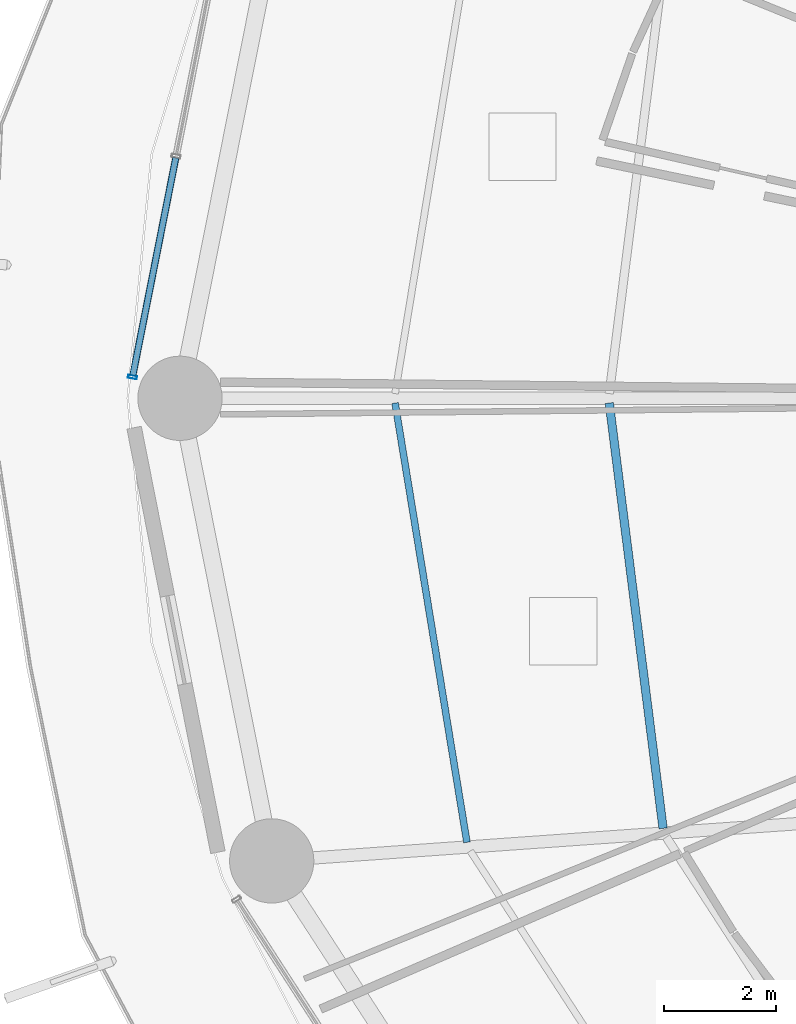
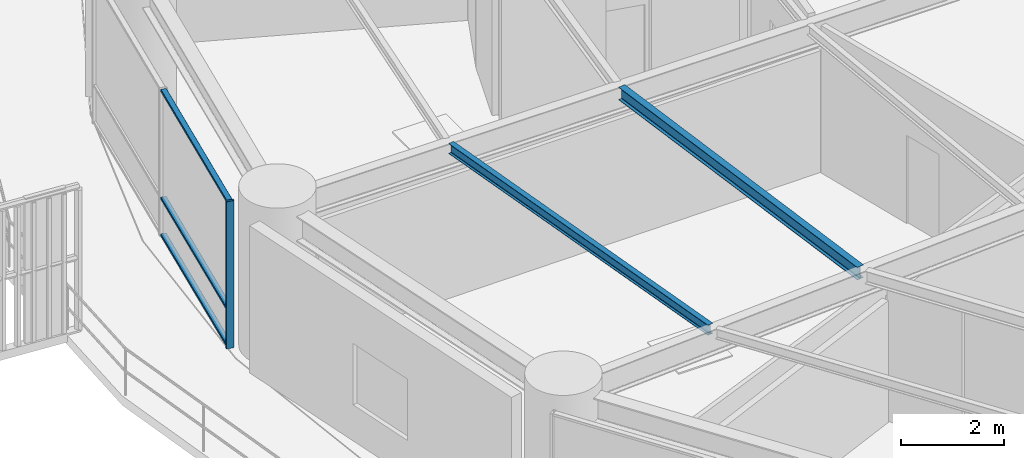
# One storey, part 6 of 34: 4 members, 2 beams, 1 element without a shape of its own.
"""IFC4 building model written with IfcOpenShell, lengths in metres."""

from ifc_helpers import new_model, si_unit, direction, frame, origin, origin_2d, place, context, subcontext, project, spatial, hollow_rectangle, i_section, extrude, material, layer, layer_set, material_profile, profile_set, type_object, element, aggregate, save


model = new_model("IFC4")

# Units and contexts
model_context = context("Model", 3, precision=1e-05, world=origin(), true_north=direction((0.0, 1.0)))
body_context = subcontext(model_context, "Body", "Model", "MODEL_VIEW")
ifc_project = project(units=[si_unit("LENGTHUNIT", "METRE"), si_unit("AREAUNIT", "SQUARE_METRE"), si_unit("VOLUMEUNIT", "CUBIC_METRE"), si_unit("PLANEANGLEUNIT", "RADIAN"), si_unit("MASSUNIT", "GRAM", prefix="KILO")], contexts=[model_context])

# Site, building, storey
site_placement = place(None, origin())
site = spatial("IfcSite", under=ifc_project, at=site_placement, CompositionType="ELEMENT")
building_placement = place(site_placement, origin())
building = spatial("IfcBuilding", under=site, at=building_placement, Name="Kelanora Arch Commons", CompositionType="ELEMENT")
storey_placement = place(building_placement, frame((0.0, 0.0, 30.0)))
storey = spatial("IfcBuildingStorey", under=building, at=storey_placement, Name="L07", CompositionType="ELEMENT", Elevation=30.0)

# Beams
ifc_material_1 = material(Name="Steel S355", Category="steel")
ifc_material_profile_1 = material_profile(ifc_material_1, i_section(OverallWidth=0.14990234375, OverallDepth=0.300048828125, WebThickness=0.007080078125, FlangeThickness=0.0107421875, FilletRadius=0.014892578125, at=origin_2d()), Name="IPE300")
ifc_profile_set_1 = profile_set([ifc_material_profile_1], Name="Steel S355")
beam_type_1 = type_object("IfcBeamType", Name="BM-JST-01", PredefinedType="JOIST", material=ifc_profile_set_1)
beam_1_placement = place(storey_placement, frame((54.562744140625, 57.915771484375, 3.340087890625), z_axis=(0.125565841651, -0.992085288375, 0.0), x_axis=(0.992085288375, 0.125565841651, 0.0)))
element("IfcBeam", 1, at=beam_1_placement, inside=storey, type_object=beam_type_1, Name="Secondary Chord Joist BJB-18 L07", PredefinedType="JOIST", context=body_context, shape_type="SweptSolid", body=[
    extrude(i_section(OverallWidth=0.14990234375, OverallDepth=0.300048828125, WebThickness=0.007080078125, FlangeThickness=0.0107421875, FilletRadius=0.014892578125, at=origin_2d()), origin(), (0.0, 0.0, 1.0), 7.63330078125),
])
ifc_material_profile_2 = material_profile(ifc_material_1, i_section(OverallWidth=0.1201171875, OverallDepth=0.239990234375, WebThickness=0.006103515625, FlangeThickness=0.009765625, FilletRadius=0.014892578125, at=origin_2d()), Name="IPE240")
ifc_profile_set_2 = profile_set([ifc_material_profile_2], Name="Steel S355")
beam_type_2 = type_object("IfcBeamType", Name="BM-JST-02", PredefinedType="JOIST", material=ifc_profile_set_2)
beam_2_placement = place(storey_placement, frame((50.749755859375, 57.916015625, 3.3701171875), z_axis=(0.161400737199, -0.986888951216, 0.0), x_axis=(0.986888951216, 0.161400737199, 0.0)))
element("IfcBeam", 2, at=beam_2_placement, inside=storey, type_object=beam_type_2, Name="Secondary Chord Joist BJC-18 L07", PredefinedType="JOIST", context=body_context, shape_type="SweptSolid", body=[
    extrude(i_section(OverallWidth=0.1201171875, OverallDepth=0.239990234375, WebThickness=0.006103515625, FlangeThickness=0.009765625, FilletRadius=0.014892578125, at=origin_2d()), origin(), (0.0, 0.0, 1.0), 7.9248046875),
])

# Curtain wall, members
ifc_material_2 = material(Name="Terracotta ceramic-fritted low-E glass and aluminium", Category="masonry")
ifc_layer = layer(ifc_material_2, 0.159912109375)
ifc_layer_set = layer_set([ifc_layer], Name="Terracotta ceramic-fritted low-E glass and aluminium")
curtain_wall_type = type_object("IfcCurtainWallType", Name="CW-SYS-01", PredefinedType="NOTDEFINED", material=ifc_layer_set)
curtain_wall_placement = place(storey_placement, origin())
curtain_wall = element("IfcCurtainWall", 3, at=curtain_wall_placement, inside=storey, type_object=curtain_wall_type, Name="Unitised Curtain Wall L07-B08", PredefinedType="NOTDEFINED")
ifc_material_3 = material(Name="Powder-coated aluminium terracotta", Category="masonry")
ifc_material_profile_3 = material_profile(ifc_material_3, hollow_rectangle(XDim=0.159912109375, YDim=0.06005859375, WallThickness=0.0048828125, InnerFilletRadius=0.0048828125, OuterFilletRadius=0.010009765625, at=origin_2d()), Name="CWM160x60")
ifc_profile_set_3 = profile_set([ifc_material_profile_3], Name="Powder-coated aluminium terracotta")
member_type_1 = type_object("IfcMemberType", Name="CWM-STD", PredefinedType="MULLION", material=ifc_profile_set_3)
member_1_placement = place(storey_placement, frame((46.074951171875, 58.379150390625, 0.0), z_axis=(0.0, 0.0, 1.0), x_axis=(0.981052110579, -0.193744048498, 0.0)))
member_1 = element("IfcMember", 4, at=member_1_placement, type_object=member_type_1, Name="CW-01 mullion 3", PredefinedType="MULLION", context=body_context, shape_type="SweptSolid", body=[
    extrude(hollow_rectangle(XDim=0.159912109375, YDim=0.06005859375, WallThickness=0.0048828125, InnerFilletRadius=0.0048828125, OuterFilletRadius=0.010009765625, at=origin_2d()), origin(), (0.0, 0.0, 1.0), 3.47509765625),
])
ifc_material_profile_4 = material_profile(ifc_material_3, hollow_rectangle(XDim=0.1201171875, YDim=0.06005859375, WallThickness=0.0048828125, InnerFilletRadius=0.0048828125, OuterFilletRadius=0.010009765625, at=origin_2d()), Name="CWT120x60")
ifc_profile_set_4 = profile_set([ifc_material_profile_4], Name="Powder-coated aluminium terracotta")
member_type_2 = type_object("IfcMemberType", Name="CWT-STD", PredefinedType="USERDEFINED", material=ifc_profile_set_4)
member_2_placement = place(storey_placement, frame((46.845703125, 62.281982421875, 0.030029296875), z_axis=(-0.193725436624, -0.98105578598, 0.0), x_axis=(0.98105578598, -0.193725436624, 0.0)))
member_2 = element("IfcMember", 5, at=member_2_placement, type_object=member_type_2, Name="CW-01 transom 2.1", ObjectType="TRANSOM", PredefinedType="USERDEFINED", context=body_context, shape_type="SweptSolid", body=[
    extrude(hollow_rectangle(XDim=0.1201171875, YDim=0.06005859375, WallThickness=0.0048828125, InnerFilletRadius=0.0048828125, OuterFilletRadius=0.010009765625, at=origin_2d()), origin(), (0.0, 0.0, 1.0), 3.9482421875),
])
member_3_placement = place(storey_placement, frame((46.845703125, 62.281982421875, 0.89990234375), z_axis=(-0.193725436624, -0.98105578598, 0.0), x_axis=(0.98105578598, -0.193725436624, 0.0)))
member_3 = element("IfcMember", 6, at=member_3_placement, type_object=member_type_2, Name="CW-01 transom 2.2", ObjectType="TRANSOM", PredefinedType="USERDEFINED", context=body_context, shape_type="SweptSolid", body=[
    extrude(hollow_rectangle(XDim=0.1201171875, YDim=0.06005859375, WallThickness=0.0048828125, InnerFilletRadius=0.0048828125, OuterFilletRadius=0.010009765625, at=origin_2d()), origin(), (0.0, 0.0, 1.0), 3.9482421875),
])
member_4_placement = place(storey_placement, frame((46.845703125, 62.281982421875, 3.445068359375), z_axis=(-0.193725436624, -0.98105578598, 0.0), x_axis=(0.98105578598, -0.193725436624, 0.0)))
member_4 = element("IfcMember", 7, at=member_4_placement, type_object=member_type_2, Name="CW-01 transom 2.3", ObjectType="TRANSOM", PredefinedType="USERDEFINED", context=body_context, shape_type="SweptSolid", body=[
    extrude(hollow_rectangle(XDim=0.1201171875, YDim=0.06005859375, WallThickness=0.0048828125, InnerFilletRadius=0.0048828125, OuterFilletRadius=0.010009765625, at=origin_2d()), origin(), (0.0, 0.0, 1.0), 3.9482421875),
])
aggregate(curtain_wall, [member_1, member_2, member_3, member_4])

save(model, "model.ifc")
